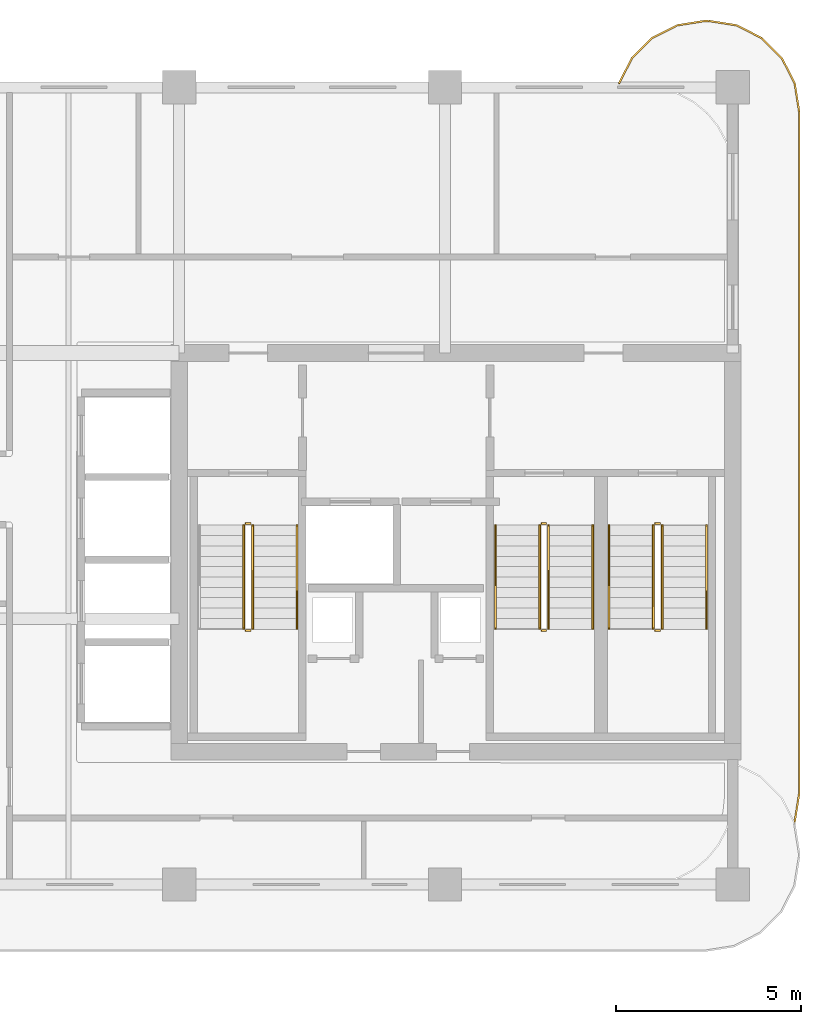
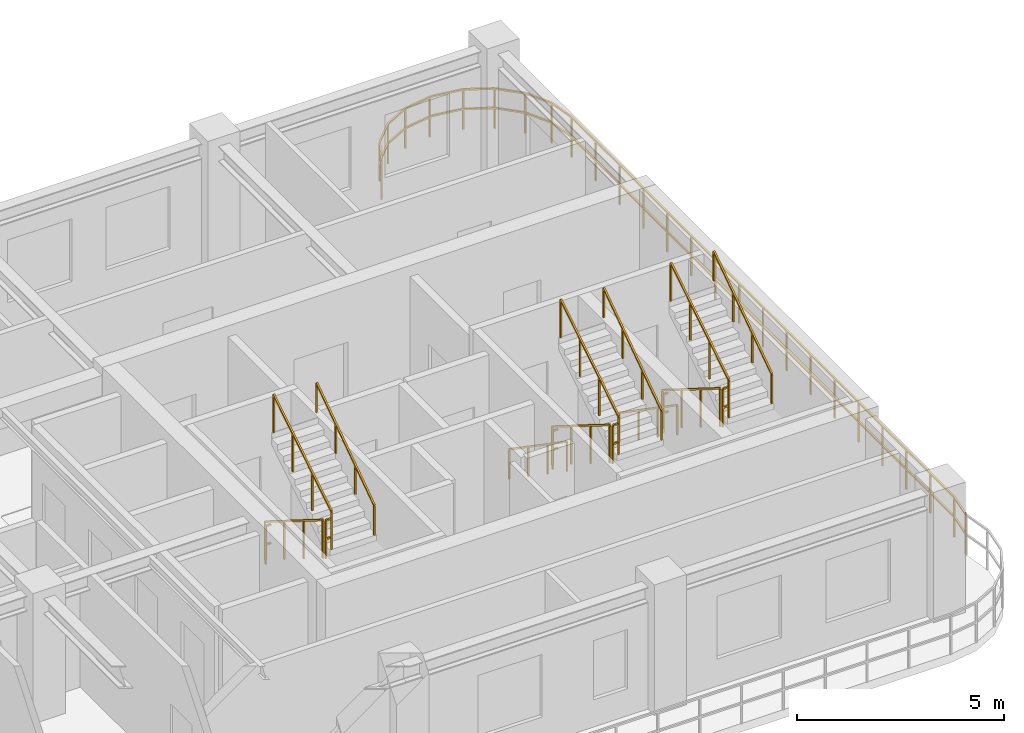
# One storey, part 8 of 8: 18 railings.
"""IFC4 building model written with IfcOpenShell, lengths in metres."""

from ifc_helpers import new_model, si_unit, derived_unit, direction, frame, origin, origin_2d, place, context, subcontext, project, spatial, rectangle, extrude, material, type_object, element, save


model = new_model("IFC4")

# Units and contexts
model_context = context("Model", 3, precision=1e-05, world=origin(), true_north=direction((0.0, 1.0)))
body_context = subcontext(model_context, "Body", "Model", "MODEL_VIEW")
ifc_project = project(units=[si_unit("LENGTHUNIT", "METRE"), si_unit("AREAUNIT", "SQUARE_METRE"), si_unit("VOLUMEUNIT", "CUBIC_METRE"), si_unit("PLANEANGLEUNIT", "RADIAN"), si_unit("MASSUNIT", "GRAM", prefix="KILO"), si_unit("THERMODYNAMICTEMPERATUREUNIT", "KELVIN"), si_unit("POWERUNIT", "WATT"), derived_unit("THERMALTRANSMITTANCEUNIT", [(si_unit("POWERUNIT", "WATT"), 1), (si_unit("AREAUNIT", "SQUARE_METRE"), -1), (si_unit("THERMODYNAMICTEMPERATUREUNIT", "KELVIN"), -1)])], contexts=[model_context])

# Site, building, storey
site_placement = place(None, origin())
site = spatial("IfcSite", under=ifc_project, at=site_placement, CompositionType="ELEMENT")
building_placement = place(site_placement, origin())
building = spatial("IfcBuilding", under=site, at=building_placement, Name="Zahravan Archway Hotel and Residences", CompositionType="ELEMENT")
storey_placement = place(building_placement, frame((0.0, 0.0, 228.85009765625)))
storey = spatial("IfcBuildingStorey", under=building, at=storey_placement, Name="L57", CompositionType="ELEMENT", Elevation=228.85009765625)

# Railings
ifc_material_1 = material(Name="Bronze & Laminated Glass Balustrade", Category="glass")
railing_type_1 = type_object("IfcRailingType", Name="RL-BAL-1200", PredefinedType="BALUSTRADE", material=ifc_material_1)
railing_1_placement = place(storey_placement, frame((46.719970703125, 21.70703125, 0.0)))
element("IfcRailing", 1, at=railing_1_placement, inside=storey, type_object=railing_type_1, Name="L57 Balustrade RL-SLB-BAL-L57-EA-1", PredefinedType="BALUSTRADE", context=body_context, shape_type="SweptSolid", body=[
    extrude(rectangle(XDim=0.048095703125, YDim=0.048095703125, at=origin_2d()), frame((0.0, 0.0, 1.17578125), z_axis=(0.453825591531, 0.891090529897, 0.0), x_axis=(-0.891090529897, 0.453825591531, 0.0)), (0.0, 0.0, 1.0), 0.7666015625),
    extrude(rectangle(XDim=0.048095703125, YDim=0.048095703125, at=origin_2d()), frame((0.0, 0.0, 0.60009765625), z_axis=(0.453825591531, 0.891090529897, 0.0), x_axis=(-0.891090529897, 0.453825591531, 0.0)), (0.0, 0.0, 1.0), 0.7666015625),
    extrude(rectangle(XDim=0.048095703125, YDim=0.048095703125, at=origin_2d()), frame((0.347900390625, 0.68310546875, 1.17578125), z_axis=(0.707106781187, 0.707106781187, 0.0), x_axis=(-0.707106781187, 0.707106781187, 0.0)), (0.0, 0.0, 1.0), 0.7666015625),
    extrude(rectangle(XDim=0.048095703125, YDim=0.048095703125, at=origin_2d()), frame((0.347900390625, 0.68310546875, 0.60009765625), z_axis=(0.707106781187, 0.707106781187, 0.0), x_axis=(-0.707106781187, 0.707106781187, 0.0)), (0.0, 0.0, 1.0), 0.7666015625),
    extrude(rectangle(XDim=0.048095703125, YDim=0.048095703125, at=origin_2d()), frame((0.889892578125, 1.22509765625, 1.17578125), z_axis=(0.891090529897, 0.453825591531, 0.0), x_axis=(-0.453825591531, 0.891090529897, 0.0)), (0.0, 0.0, 1.0), 0.7666015625),
    extrude(rectangle(XDim=0.048095703125, YDim=0.048095703125, at=origin_2d()), frame((0.889892578125, 1.22509765625, 0.60009765625), z_axis=(0.891090529897, 0.453825591531, 0.0), x_axis=(-0.453825591531, 0.891090529897, 0.0)), (0.0, 0.0, 1.0), 0.7666015625),
    extrude(rectangle(XDim=0.048095703125, YDim=0.048095703125, at=origin_2d()), frame((1.572998046875, 1.572998046875, 1.17578125), z_axis=(0.987695728695, 0.156387811283, 0.0), x_axis=(-0.156387811283, 0.987695728695, 0.0)), (0.0, 0.0, 1.0), 0.7666015625),
    extrude(rectangle(XDim=0.048095703125, YDim=0.048095703125, at=origin_2d()), frame((1.572998046875, 1.572998046875, 0.60009765625), z_axis=(0.987695728695, 0.156387811283, 0.0), x_axis=(-0.156387811283, 0.987695728695, 0.0)), (0.0, 0.0, 1.0), 0.7666015625),
    extrude(rectangle(XDim=0.048095703125, YDim=0.048095703125, at=origin_2d()), frame((2.330078125, 1.69287109375, 1.17578125), z_axis=(1.0, 0.0, 0.0), x_axis=(0.0, 1.0, 0.0)), (0.0, 0.0, 1.0), 0.099853515625),
    extrude(rectangle(XDim=0.048095703125, YDim=0.048095703125, at=origin_2d()), frame((2.330078125, 1.69287109375, 0.60009765625), z_axis=(1.0, 0.0, 0.0), x_axis=(0.0, 1.0, 0.0)), (0.0, 0.0, 1.0), 0.099853515625),
    extrude(rectangle(XDim=0.048095703125, YDim=0.048095703125, at=origin_2d()), frame((2.429931640625, 1.69287109375, 1.17578125), z_axis=(0.987695728695, -0.156387811283, 0.0), x_axis=(0.156387811283, 0.987695728695, 0.0)), (0.0, 0.0, 1.0), 0.7666015625),
    extrude(rectangle(XDim=0.048095703125, YDim=0.048095703125, at=origin_2d()), frame((2.429931640625, 1.69287109375, 0.60009765625), z_axis=(0.987695728695, -0.156387811283, 0.0), x_axis=(0.156387811283, 0.987695728695, 0.0)), (0.0, 0.0, 1.0), 0.7666015625),
    extrude(rectangle(XDim=0.048095703125, YDim=0.048095703125, at=origin_2d()), frame((3.18701171875, 1.572998046875, 1.17578125), z_axis=(0.891090529897, -0.453825591531, 0.0), x_axis=(0.453825591531, 0.891090529897, 0.0)), (0.0, 0.0, 1.0), 0.7666015625),
    extrude(rectangle(XDim=0.048095703125, YDim=0.048095703125, at=origin_2d()), frame((3.18701171875, 1.572998046875, 0.60009765625), z_axis=(0.891090529897, -0.453825591531, 0.0), x_axis=(0.453825591531, 0.891090529897, 0.0)), (0.0, 0.0, 1.0), 0.7666015625),
    extrude(rectangle(XDim=0.048095703125, YDim=0.048095703125, at=origin_2d()), frame((3.8701171875, 1.22509765625, 1.17578125), z_axis=(0.707106781187, -0.707106781187, 0.0), x_axis=(0.707106781187, 0.707106781187, 0.0)), (0.0, 0.0, 1.0), 0.7666015625),
    extrude(rectangle(XDim=0.048095703125, YDim=0.048095703125, at=origin_2d()), frame((3.8701171875, 1.22509765625, 0.60009765625), z_axis=(0.707106781187, -0.707106781187, 0.0), x_axis=(0.707106781187, 0.707106781187, 0.0)), (0.0, 0.0, 1.0), 0.7666015625),
    extrude(rectangle(XDim=0.048095703125, YDim=0.048095703125, at=origin_2d()), frame((4.412109375, 0.68310546875, 1.17578125), z_axis=(0.453825591531, -0.891090529897, 0.0), x_axis=(0.891090529897, 0.453825591531, 0.0)), (0.0, 0.0, 1.0), 0.7666015625),
    extrude(rectangle(XDim=0.048095703125, YDim=0.048095703125, at=origin_2d()), frame((4.412109375, 0.68310546875, 0.60009765625), z_axis=(0.453825591531, -0.891090529897, 0.0), x_axis=(0.891090529897, 0.453825591531, 0.0)), (0.0, 0.0, 1.0), 0.7666015625),
    extrude(rectangle(XDim=0.048095703125, YDim=0.048095703125, at=origin_2d()), frame((4.760009765625, 0.0, 1.17578125), z_axis=(0.156698507018, -0.987646484274, 0.0), x_axis=(0.987646484274, 0.156698507018, 0.0)), (0.0, 0.0, 1.0), 0.7666015625),
    extrude(rectangle(XDim=0.048095703125, YDim=0.048095703125, at=origin_2d()), frame((4.760009765625, 0.0, 0.60009765625), z_axis=(0.156698507018, -0.987646484274, 0.0), x_axis=(0.987646484274, 0.156698507018, 0.0)), (0.0, 0.0, 1.0), 0.7666015625),
    extrude(rectangle(XDim=0.048095703125, YDim=0.048095703125, at=origin_2d()), frame((4.880126953125, -0.757080078125, 1.17578125), z_axis=(0.0, -1.0, 0.0), x_axis=(1.0, 0.0, 0.0)), (0.0, 0.0, 1.0), 18.5),
    extrude(rectangle(XDim=0.048095703125, YDim=0.048095703125, at=origin_2d()), frame((4.880126953125, -0.757080078125, 0.60009765625), z_axis=(0.0, -1.0, 0.0), x_axis=(1.0, 0.0, 0.0)), (0.0, 0.0, 1.0), 18.5),
    extrude(rectangle(XDim=0.048095703125, YDim=0.048095703125, at=origin_2d()), frame((4.880126953125, -19.257080078125, 1.17578125), z_axis=(-0.156698507018, -0.987646484274, 0.0), x_axis=(0.987646484274, -0.156698507018, 0.0)), (0.0, 0.0, 1.0), 0.7666015625),
    extrude(rectangle(XDim=0.048095703125, YDim=0.048095703125, at=origin_2d()), frame((4.880126953125, -19.257080078125, 0.60009765625), z_axis=(-0.156698507018, -0.987646484274, 0.0), x_axis=(0.987646484274, -0.156698507018, 0.0)), (0.0, 0.0, 1.0), 0.7666015625),
    extrude(rectangle(XDim=0.0419921875, YDim=0.0419921875, at=origin_2d()), origin(), (0.0, 0.0, 1.0), 1.15185546875),
    extrude(rectangle(XDim=0.0419921875, YDim=0.0419921875, at=origin_2d()), frame((0.347900390625, 0.68310546875, 0.0)), (0.0, 0.0, 1.0), 1.15185546875),
    extrude(rectangle(XDim=0.0419921875, YDim=0.0419921875, at=origin_2d()), frame((0.889892578125, 1.22509765625, 0.0)), (0.0, 0.0, 1.0), 1.15185546875),
    extrude(rectangle(XDim=0.0419921875, YDim=0.0419921875, at=origin_2d()), frame((1.572998046875, 1.572998046875, 0.0)), (0.0, 0.0, 1.0), 1.15185546875),
    extrude(rectangle(XDim=0.0419921875, YDim=0.0419921875, at=origin_2d()), frame((2.330078125, 1.69287109375, 0.0)), (0.0, 0.0, 1.0), 1.15185546875),
    extrude(rectangle(XDim=0.0419921875, YDim=0.0419921875, at=origin_2d()), frame((3.18701171875, 1.572998046875, 0.0)), (0.0, 0.0, 1.0), 1.15185546875),
    extrude(rectangle(XDim=0.0419921875, YDim=0.0419921875, at=origin_2d()), frame((3.8701171875, 1.22509765625, 0.0)), (0.0, 0.0, 1.0), 1.15185546875),
    extrude(rectangle(XDim=0.0419921875, YDim=0.0419921875, at=origin_2d()), frame((4.412109375, 0.68310546875, 0.0)), (0.0, 0.0, 1.0), 1.15185546875),
    extrude(rectangle(XDim=0.0419921875, YDim=0.0419921875, at=origin_2d()), frame((4.760009765625, 0.0, 0.0)), (0.0, 0.0, 1.0), 1.15185546875),
    extrude(rectangle(XDim=0.0419921875, YDim=0.0419921875, at=origin_2d()), frame((4.880126953125, -0.757080078125, 0.0)), (0.0, 0.0, 1.0), 1.15185546875),
    extrude(rectangle(XDim=0.0419921875, YDim=0.0419921875, at=origin_2d()), frame((4.880126953125, -1.913330078125, 0.0)), (0.0, 0.0, 1.0), 1.15185546875),
    extrude(rectangle(XDim=0.0419921875, YDim=0.0419921875, at=origin_2d()), frame((4.880126953125, -3.069580078125, 0.0)), (0.0, 0.0, 1.0), 1.15185546875),
    extrude(rectangle(XDim=0.0419921875, YDim=0.0419921875, at=origin_2d()), frame((4.880126953125, -4.225830078125, 0.0)), (0.0, 0.0, 1.0), 1.15185546875),
    extrude(rectangle(XDim=0.0419921875, YDim=0.0419921875, at=origin_2d()), frame((4.880126953125, -5.382080078125, 0.0)), (0.0, 0.0, 1.0), 1.15185546875),
    extrude(rectangle(XDim=0.0419921875, YDim=0.0419921875, at=origin_2d()), frame((4.880126953125, -6.538330078125, 0.0)), (0.0, 0.0, 1.0), 1.15185546875),
    extrude(rectangle(XDim=0.0419921875, YDim=0.0419921875, at=origin_2d()), frame((4.880126953125, -7.694580078125, 0.0)), (0.0, 0.0, 1.0), 1.15185546875),
    extrude(rectangle(XDim=0.0419921875, YDim=0.0419921875, at=origin_2d()), frame((4.880126953125, -8.850830078125, 0.0)), (0.0, 0.0, 1.0), 1.15185546875),
    extrude(rectangle(XDim=0.0419921875, YDim=0.0419921875, at=origin_2d()), frame((4.880126953125, -10.007080078125, 0.0)), (0.0, 0.0, 1.0), 1.15185546875),
    extrude(rectangle(XDim=0.0419921875, YDim=0.0419921875, at=origin_2d()), frame((4.880126953125, -11.163330078125, 0.0)), (0.0, 0.0, 1.0), 1.15185546875),
    extrude(rectangle(XDim=0.0419921875, YDim=0.0419921875, at=origin_2d()), frame((4.880126953125, -12.319580078125, 0.0)), (0.0, 0.0, 1.0), 1.15185546875),
    extrude(rectangle(XDim=0.0419921875, YDim=0.0419921875, at=origin_2d()), frame((4.880126953125, -13.475830078125, 0.0)), (0.0, 0.0, 1.0), 1.15185546875),
    extrude(rectangle(XDim=0.0419921875, YDim=0.0419921875, at=origin_2d()), frame((4.880126953125, -14.632080078125, 0.0)), (0.0, 0.0, 1.0), 1.15185546875),
    extrude(rectangle(XDim=0.0419921875, YDim=0.0419921875, at=origin_2d()), frame((4.880126953125, -15.788330078125, 0.0)), (0.0, 0.0, 1.0), 1.15185546875),
    extrude(rectangle(XDim=0.0419921875, YDim=0.0419921875, at=origin_2d()), frame((4.880126953125, -16.944580078125, 0.0)), (0.0, 0.0, 1.0), 1.15185546875),
    extrude(rectangle(XDim=0.0419921875, YDim=0.0419921875, at=origin_2d()), frame((4.880126953125, -18.100830078125, 0.0)), (0.0, 0.0, 1.0), 1.15185546875),
    extrude(rectangle(XDim=0.0419921875, YDim=0.0419921875, at=origin_2d()), frame((4.880126953125, -19.257080078125, 0.0)), (0.0, 0.0, 1.0), 1.15185546875),
    extrude(rectangle(XDim=0.0419921875, YDim=0.0419921875, at=origin_2d()), frame((4.760009765625, -20.01416015625, 0.0)), (0.0, 0.0, 1.0), 1.15185546875),
])
ifc_material_2 = material(Name="Painted Tubular Steel", Category="steel")
railing_type_2 = type_object("IfcRailingType", Name="RL-STG-1150", PredefinedType="GUARDRAIL", material=ifc_material_2)
railing_2_placement = place(storey_placement, frame((36.550048828125, 9.72998046875, 0.1748046875)))
element("IfcRailing", 2, at=railing_2_placement, inside=storey, type_object=railing_type_2, Name="L57 ST-A1 stair guard 1", PredefinedType="GUARDRAIL", context=body_context, shape_type="SweptSolid", body=[
    extrude(rectangle(XDim=0.048095703125, YDim=0.048095703125, at=origin_2d()), frame((0.0, 0.0, 1.1259765625), z_axis=(0.0, -0.848002457836, 0.529992293815), x_axis=(1.0, 0.0, 0.0)), (0.0, 0.0, 1.0), 3.302001953125),
    extrude(rectangle(XDim=0.0419921875, YDim=0.0419921875, at=origin_2d()), origin(), (0.0, 0.0, 1.0), 1.101806640625),
    extrude(rectangle(XDim=0.0419921875, YDim=0.0419921875, at=origin_2d()), frame((0.0, -0.933349609375, 0.583251953125)), (0.0, 0.0, 1.0), 1.101806640625),
    extrude(rectangle(XDim=0.0419921875, YDim=0.0419921875, at=origin_2d()), frame((0.0, -1.86669921875, 1.166748046875)), (0.0, 0.0, 1.0), 1.101806640625),
    extrude(rectangle(XDim=0.0419921875, YDim=0.0419921875, at=origin_2d()), frame((0.0, -2.800048828125, 1.75)), (0.0, 0.0, 1.0), 1.101806640625),
])
railing_3_placement = place(storey_placement, frame((36.60009765625, 6.8798828125, 1.9248046875)))
element("IfcRailing", 3, at=railing_3_placement, inside=storey, type_object=railing_type_2, Name="L57 ST-A1 stair guard 2", PredefinedType="GUARDRAIL", context=body_context, shape_type="SweptSolid", body=[
    extrude(rectangle(XDim=0.048095703125, YDim=0.048095703125, at=origin_2d()), frame((0.0, 0.0, 1.1259765625), z_axis=(1.0, 0.0, 0.0), x_axis=(0.0, 1.0, 0.0)), (0.0, 0.0, 1.0), 0.139892578125),
    extrude(rectangle(XDim=0.048095703125, YDim=0.048095703125, at=origin_2d()), frame((0.0, 0.0, 0.574951171875), z_axis=(1.0, 0.0, 0.0), x_axis=(0.0, 1.0, 0.0)), (0.0, 0.0, 1.0), 0.139892578125),
    extrude(rectangle(XDim=0.0419921875, YDim=0.0419921875, at=origin_2d()), origin(), (0.0, 0.0, 1.0), 1.101806640625),
])
railing_4_placement = place(storey_placement, frame((36.7900390625, 6.929931640625, 2.099853515625)))
element("IfcRailing", 4, at=railing_4_placement, inside=storey, type_object=railing_type_2, Name="L57 ST-A1 stair guard 3", PredefinedType="GUARDRAIL", context=body_context, shape_type="SweptSolid", body=[
    extrude(rectangle(XDim=0.048095703125, YDim=0.048095703125, at=origin_2d()), frame((0.0, 0.0, 1.1259765625), z_axis=(0.0, 0.848002457836, 0.529992293815), x_axis=(-1.0, 0.0, 0.0)), (0.0, 0.0, 1.0), 3.302001953125),
    extrude(rectangle(XDim=0.0419921875, YDim=0.0419921875, at=origin_2d()), origin(), (0.0, 0.0, 1.0), 1.101806640625),
    extrude(rectangle(XDim=0.0419921875, YDim=0.0419921875, at=origin_2d()), frame((0.0, 0.933349609375, 0.583251953125)), (0.0, 0.0, 1.0), 1.101806640625),
    extrude(rectangle(XDim=0.0419921875, YDim=0.0419921875, at=origin_2d()), frame((0.0, 1.86669921875, 1.166748046875)), (0.0, 0.0, 1.0), 1.101806640625),
    extrude(rectangle(XDim=0.0419921875, YDim=0.0419921875, at=origin_2d()), frame((0.0, 2.800048828125, 1.75)), (0.0, 0.0, 1.0), 1.101806640625),
])
railing_5_placement = place(storey_placement, frame((36.60009765625, 9.780029296875, 0.0)))
element("IfcRailing", 5, at=railing_5_placement, inside=storey, type_object=railing_type_2, Name="L57 ST-A1 stair guard 4", PredefinedType="GUARDRAIL", context=body_context, shape_type="SweptSolid", body=[
    extrude(rectangle(XDim=0.048095703125, YDim=0.048095703125, at=origin_2d()), frame((0.0, 0.0, 1.1259765625), z_axis=(1.0, 0.0, 0.0), x_axis=(0.0, 1.0, 0.0)), (0.0, 0.0, 1.0), 0.139892578125),
    extrude(rectangle(XDim=0.048095703125, YDim=0.048095703125, at=origin_2d()), frame((0.0, 0.0, 0.574951171875), z_axis=(1.0, 0.0, 0.0), x_axis=(0.0, 1.0, 0.0)), (0.0, 0.0, 1.0), 0.139892578125),
    extrude(rectangle(XDim=0.0419921875, YDim=0.0419921875, at=origin_2d()), origin(), (0.0, 0.0, 1.0), 1.101806640625),
])
railing_6_placement = place(storey_placement, frame((44.570068359375, 9.72998046875, 0.1748046875)))
element("IfcRailing", 6, at=railing_6_placement, inside=storey, type_object=railing_type_2, Name="L57 ST-A2 stair guard 1", PredefinedType="GUARDRAIL", context=body_context, shape_type="SweptSolid", body=[
    extrude(rectangle(XDim=0.048095703125, YDim=0.048095703125, at=origin_2d()), frame((0.0, 0.0, 1.1259765625), z_axis=(0.0, -0.848002457836, 0.529992293815), x_axis=(1.0, 0.0, 0.0)), (0.0, 0.0, 1.0), 3.302001953125),
    extrude(rectangle(XDim=0.0419921875, YDim=0.0419921875, at=origin_2d()), origin(), (0.0, 0.0, 1.0), 1.101806640625),
    extrude(rectangle(XDim=0.0419921875, YDim=0.0419921875, at=origin_2d()), frame((0.0, -0.933349609375, 0.583251953125)), (0.0, 0.0, 1.0), 1.101806640625),
    extrude(rectangle(XDim=0.0419921875, YDim=0.0419921875, at=origin_2d()), frame((0.0, -1.86669921875, 1.166748046875)), (0.0, 0.0, 1.0), 1.101806640625),
    extrude(rectangle(XDim=0.0419921875, YDim=0.0419921875, at=origin_2d()), frame((0.0, -2.800048828125, 1.75)), (0.0, 0.0, 1.0), 1.101806640625),
])
railing_7_placement = place(storey_placement, frame((44.6201171875, 6.8798828125, 1.9248046875)))
element("IfcRailing", 7, at=railing_7_placement, inside=storey, type_object=railing_type_2, Name="L57 ST-A2 stair guard 2", PredefinedType="GUARDRAIL", context=body_context, shape_type="SweptSolid", body=[
    extrude(rectangle(XDim=0.048095703125, YDim=0.048095703125, at=origin_2d()), frame((0.0, 0.0, 1.1259765625), z_axis=(1.0, 0.0, 0.0), x_axis=(0.0, 1.0, 0.0)), (0.0, 0.0, 1.0), 0.139892578125),
    extrude(rectangle(XDim=0.048095703125, YDim=0.048095703125, at=origin_2d()), frame((0.0, 0.0, 0.574951171875), z_axis=(1.0, 0.0, 0.0), x_axis=(0.0, 1.0, 0.0)), (0.0, 0.0, 1.0), 0.139892578125),
    extrude(rectangle(XDim=0.0419921875, YDim=0.0419921875, at=origin_2d()), origin(), (0.0, 0.0, 1.0), 1.101806640625),
])
railing_8_placement = place(storey_placement, frame((44.81005859375, 6.929931640625, 2.099853515625)))
element("IfcRailing", 8, at=railing_8_placement, inside=storey, type_object=railing_type_2, Name="L57 ST-A2 stair guard 3", PredefinedType="GUARDRAIL", context=body_context, shape_type="SweptSolid", body=[
    extrude(rectangle(XDim=0.048095703125, YDim=0.048095703125, at=origin_2d()), frame((0.0, 0.0, 1.1259765625), z_axis=(0.0, 0.848002457836, 0.529992293815), x_axis=(-1.0, 0.0, 0.0)), (0.0, 0.0, 1.0), 3.302001953125),
    extrude(rectangle(XDim=0.0419921875, YDim=0.0419921875, at=origin_2d()), origin(), (0.0, 0.0, 1.0), 1.101806640625),
    extrude(rectangle(XDim=0.0419921875, YDim=0.0419921875, at=origin_2d()), frame((0.0, 0.933349609375, 0.583251953125)), (0.0, 0.0, 1.0), 1.101806640625),
    extrude(rectangle(XDim=0.0419921875, YDim=0.0419921875, at=origin_2d()), frame((0.0, 1.86669921875, 1.166748046875)), (0.0, 0.0, 1.0), 1.101806640625),
    extrude(rectangle(XDim=0.0419921875, YDim=0.0419921875, at=origin_2d()), frame((0.0, 2.800048828125, 1.75)), (0.0, 0.0, 1.0), 1.101806640625),
])
railing_9_placement = place(storey_placement, frame((44.6201171875, 9.780029296875, 0.0)))
element("IfcRailing", 9, at=railing_9_placement, inside=storey, type_object=railing_type_2, Name="L57 ST-A2 stair guard 4", PredefinedType="GUARDRAIL", context=body_context, shape_type="SweptSolid", body=[
    extrude(rectangle(XDim=0.048095703125, YDim=0.048095703125, at=origin_2d()), frame((0.0, 0.0, 1.1259765625), z_axis=(1.0, 0.0, 0.0), x_axis=(0.0, 1.0, 0.0)), (0.0, 0.0, 1.0), 0.139892578125),
    extrude(rectangle(XDim=0.048095703125, YDim=0.048095703125, at=origin_2d()), frame((0.0, 0.0, 0.574951171875), z_axis=(1.0, 0.0, 0.0), x_axis=(0.0, 1.0, 0.0)), (0.0, 0.0, 1.0), 0.139892578125),
    extrude(rectangle(XDim=0.0419921875, YDim=0.0419921875, at=origin_2d()), origin(), (0.0, 0.0, 1.0), 1.101806640625),
])
railing_10_placement = place(storey_placement, frame((47.64990234375, 9.72998046875, 0.1748046875)))
element("IfcRailing", 10, at=railing_10_placement, inside=storey, type_object=railing_type_2, Name="L57 ST-A3 stair guard 1", PredefinedType="GUARDRAIL", context=body_context, shape_type="SweptSolid", body=[
    extrude(rectangle(XDim=0.048095703125, YDim=0.048095703125, at=origin_2d()), frame((0.0, 0.0, 1.1259765625), z_axis=(0.0, -0.848002457836, 0.529992293815), x_axis=(1.0, 0.0, 0.0)), (0.0, 0.0, 1.0), 3.302001953125),
    extrude(rectangle(XDim=0.0419921875, YDim=0.0419921875, at=origin_2d()), origin(), (0.0, 0.0, 1.0), 1.101806640625),
    extrude(rectangle(XDim=0.0419921875, YDim=0.0419921875, at=origin_2d()), frame((0.0, -0.933349609375, 0.583251953125)), (0.0, 0.0, 1.0), 1.101806640625),
    extrude(rectangle(XDim=0.0419921875, YDim=0.0419921875, at=origin_2d()), frame((0.0, -1.86669921875, 1.166748046875)), (0.0, 0.0, 1.0), 1.101806640625),
    extrude(rectangle(XDim=0.0419921875, YDim=0.0419921875, at=origin_2d()), frame((0.0, -2.800048828125, 1.75)), (0.0, 0.0, 1.0), 1.101806640625),
])
railing_11_placement = place(storey_placement, frame((47.699951171875, 6.8798828125, 1.9248046875)))
element("IfcRailing", 11, at=railing_11_placement, inside=storey, type_object=railing_type_2, Name="L57 ST-A3 stair guard 2", PredefinedType="GUARDRAIL", context=body_context, shape_type="SweptSolid", body=[
    extrude(rectangle(XDim=0.048095703125, YDim=0.048095703125, at=origin_2d()), frame((0.0, 0.0, 1.1259765625), z_axis=(1.0, 0.0, 0.0), x_axis=(0.0, 1.0, 0.0)), (0.0, 0.0, 1.0), 0.14013671875),
    extrude(rectangle(XDim=0.048095703125, YDim=0.048095703125, at=origin_2d()), frame((0.0, 0.0, 0.574951171875), z_axis=(1.0, 0.0, 0.0), x_axis=(0.0, 1.0, 0.0)), (0.0, 0.0, 1.0), 0.14013671875),
    extrude(rectangle(XDim=0.0419921875, YDim=0.0419921875, at=origin_2d()), origin(), (0.0, 0.0, 1.0), 1.101806640625),
])
railing_12_placement = place(storey_placement, frame((47.889892578125, 6.929931640625, 2.099853515625)))
element("IfcRailing", 12, at=railing_12_placement, inside=storey, type_object=railing_type_2, Name="L57 ST-A3 stair guard 3", PredefinedType="GUARDRAIL", context=body_context, shape_type="SweptSolid", body=[
    extrude(rectangle(XDim=0.048095703125, YDim=0.048095703125, at=origin_2d()), frame((0.0, 0.0, 1.1259765625), z_axis=(0.0, 0.848002457836, 0.529992293815), x_axis=(-1.0, 0.0, 0.0)), (0.0, 0.0, 1.0), 3.302001953125),
    extrude(rectangle(XDim=0.0419921875, YDim=0.0419921875, at=origin_2d()), origin(), (0.0, 0.0, 1.0), 1.101806640625),
    extrude(rectangle(XDim=0.0419921875, YDim=0.0419921875, at=origin_2d()), frame((0.0, 0.933349609375, 0.583251953125)), (0.0, 0.0, 1.0), 1.101806640625),
    extrude(rectangle(XDim=0.0419921875, YDim=0.0419921875, at=origin_2d()), frame((0.0, 1.86669921875, 1.166748046875)), (0.0, 0.0, 1.0), 1.101806640625),
    extrude(rectangle(XDim=0.0419921875, YDim=0.0419921875, at=origin_2d()), frame((0.0, 2.800048828125, 1.75)), (0.0, 0.0, 1.0), 1.101806640625),
])
railing_13_placement = place(storey_placement, frame((47.699951171875, 9.780029296875, 0.0)))
element("IfcRailing", 13, at=railing_13_placement, inside=storey, type_object=railing_type_2, Name="L57 ST-A3 stair guard 4", PredefinedType="GUARDRAIL", context=body_context, shape_type="SweptSolid", body=[
    extrude(rectangle(XDim=0.048095703125, YDim=0.048095703125, at=origin_2d()), frame((0.0, 0.0, 1.1259765625), z_axis=(1.0, 0.0, 0.0), x_axis=(0.0, 1.0, 0.0)), (0.0, 0.0, 1.0), 0.14013671875),
    extrude(rectangle(XDim=0.048095703125, YDim=0.048095703125, at=origin_2d()), frame((0.0, 0.0, 0.574951171875), z_axis=(1.0, 0.0, 0.0), x_axis=(0.0, 1.0, 0.0)), (0.0, 0.0, 1.0), 0.14013671875),
    extrude(rectangle(XDim=0.0419921875, YDim=0.0419921875, at=origin_2d()), origin(), (0.0, 0.0, 1.0), 1.101806640625),
])
ifc_material_3 = material(Name="Brushed Stainless Steel", Category="steel")
railing_type_3 = type_object("IfcRailingType", Name="RL-STH-900", PredefinedType="HANDRAIL", material=ifc_material_3)
railing_14_placement = place(storey_placement, frame((37.989990234375, 6.929931640625, 2.099853515625)))
element("IfcRailing", 14, at=railing_14_placement, inside=storey, type_object=railing_type_3, Name="L57 ST-A1 stair handrail 2", PredefinedType="HANDRAIL", context=body_context, shape_type="SweptSolid", body=[
    extrude(rectangle(XDim=0.048095703125, YDim=0.048095703125, at=origin_2d()), frame((0.0, 0.0, 0.8759765625), z_axis=(0.0, 0.824039827795, 0.566531872191), x_axis=(-1.0, 0.0, 0.0)), (0.0, 0.0, 1.0), 3.39794921875),
    extrude(rectangle(XDim=0.0419921875, YDim=0.0419921875, at=origin_2d()), origin(), (0.0, 0.0, 1.0), 0.851806640625),
    extrude(rectangle(XDim=0.0419921875, YDim=0.0419921875, at=origin_2d()), frame((0.0, 0.933349609375, 0.6416015625)), (0.0, 0.0, 1.0), 0.851806640625),
    extrude(rectangle(XDim=0.0419921875, YDim=0.0419921875, at=origin_2d()), frame((0.0, 1.86669921875, 1.283447265625)), (0.0, 0.0, 1.0), 0.851806640625),
    extrude(rectangle(XDim=0.0419921875, YDim=0.0419921875, at=origin_2d()), frame((0.0, 2.800048828125, 1.925048828125)), (0.0, 0.0, 1.0), 0.851806640625),
])
railing_15_placement = place(storey_placement, frame((43.3701171875, 9.72998046875, 0.1748046875)))
element("IfcRailing", 15, at=railing_15_placement, inside=storey, type_object=railing_type_3, Name="L57 ST-A2 stair handrail 1", PredefinedType="HANDRAIL", context=body_context, shape_type="SweptSolid", body=[
    extrude(rectangle(XDim=0.048095703125, YDim=0.048095703125, at=origin_2d()), frame((0.0, 0.0, 0.8759765625), z_axis=(0.0, -0.824039827795, 0.566531872191), x_axis=(1.0, 0.0, 0.0)), (0.0, 0.0, 1.0), 3.39794921875),
    extrude(rectangle(XDim=0.0419921875, YDim=0.0419921875, at=origin_2d()), origin(), (0.0, 0.0, 1.0), 0.851806640625),
    extrude(rectangle(XDim=0.0419921875, YDim=0.0419921875, at=origin_2d()), frame((0.0, -0.933349609375, 0.6416015625)), (0.0, 0.0, 1.0), 0.851806640625),
    extrude(rectangle(XDim=0.0419921875, YDim=0.0419921875, at=origin_2d()), frame((0.0, -1.86669921875, 1.283447265625)), (0.0, 0.0, 1.0), 0.851806640625),
    extrude(rectangle(XDim=0.0419921875, YDim=0.0419921875, at=origin_2d()), frame((0.0, -2.800048828125, 1.925048828125)), (0.0, 0.0, 1.0), 0.851806640625),
])
railing_16_placement = place(storey_placement, frame((46.010009765625, 6.929931640625, 2.099853515625)))
element("IfcRailing", 16, at=railing_16_placement, inside=storey, type_object=railing_type_3, Name="L57 ST-A2 stair handrail 2", PredefinedType="HANDRAIL", context=body_context, shape_type="SweptSolid", body=[
    extrude(rectangle(XDim=0.048095703125, YDim=0.048095703125, at=origin_2d()), frame((0.0, 0.0, 0.8759765625), z_axis=(0.0, 0.824039827795, 0.566531872191), x_axis=(-1.0, 0.0, 0.0)), (0.0, 0.0, 1.0), 3.39794921875),
    extrude(rectangle(XDim=0.0419921875, YDim=0.0419921875, at=origin_2d()), origin(), (0.0, 0.0, 1.0), 0.851806640625),
    extrude(rectangle(XDim=0.0419921875, YDim=0.0419921875, at=origin_2d()), frame((0.0, 0.933349609375, 0.6416015625)), (0.0, 0.0, 1.0), 0.851806640625),
    extrude(rectangle(XDim=0.0419921875, YDim=0.0419921875, at=origin_2d()), frame((0.0, 1.86669921875, 1.283447265625)), (0.0, 0.0, 1.0), 0.851806640625),
    extrude(rectangle(XDim=0.0419921875, YDim=0.0419921875, at=origin_2d()), frame((0.0, 2.800048828125, 1.925048828125)), (0.0, 0.0, 1.0), 0.851806640625),
])
railing_17_placement = place(storey_placement, frame((46.449951171875, 9.72998046875, 0.1748046875)))
element("IfcRailing", 17, at=railing_17_placement, inside=storey, type_object=railing_type_3, Name="L57 ST-A3 stair handrail 1", PredefinedType="HANDRAIL", context=body_context, shape_type="SweptSolid", body=[
    extrude(rectangle(XDim=0.048095703125, YDim=0.048095703125, at=origin_2d()), frame((0.0, 0.0, 0.8759765625), z_axis=(0.0, -0.824039827795, 0.566531872191), x_axis=(1.0, 0.0, 0.0)), (0.0, 0.0, 1.0), 3.39794921875),
    extrude(rectangle(XDim=0.0419921875, YDim=0.0419921875, at=origin_2d()), origin(), (0.0, 0.0, 1.0), 0.851806640625),
    extrude(rectangle(XDim=0.0419921875, YDim=0.0419921875, at=origin_2d()), frame((0.0, -0.933349609375, 0.6416015625)), (0.0, 0.0, 1.0), 0.851806640625),
    extrude(rectangle(XDim=0.0419921875, YDim=0.0419921875, at=origin_2d()), frame((0.0, -1.86669921875, 1.283447265625)), (0.0, 0.0, 1.0), 0.851806640625),
    extrude(rectangle(XDim=0.0419921875, YDim=0.0419921875, at=origin_2d()), frame((0.0, -2.800048828125, 1.925048828125)), (0.0, 0.0, 1.0), 0.851806640625),
])
railing_18_placement = place(storey_placement, frame((49.090087890625, 6.929931640625, 2.099853515625)))
element("IfcRailing", 18, at=railing_18_placement, inside=storey, type_object=railing_type_3, Name="L57 ST-A3 stair handrail 2", PredefinedType="HANDRAIL", context=body_context, shape_type="SweptSolid", body=[
    extrude(rectangle(XDim=0.048095703125, YDim=0.048095703125, at=origin_2d()), frame((0.0, 0.0, 0.8759765625), z_axis=(0.0, 0.824039827795, 0.566531872191), x_axis=(-1.0, 0.0, 0.0)), (0.0, 0.0, 1.0), 3.39794921875),
    extrude(rectangle(XDim=0.0419921875, YDim=0.0419921875, at=origin_2d()), origin(), (0.0, 0.0, 1.0), 0.851806640625),
    extrude(rectangle(XDim=0.0419921875, YDim=0.0419921875, at=origin_2d()), frame((0.0, 0.933349609375, 0.6416015625)), (0.0, 0.0, 1.0), 0.851806640625),
    extrude(rectangle(XDim=0.0419921875, YDim=0.0419921875, at=origin_2d()), frame((0.0, 1.86669921875, 1.283447265625)), (0.0, 0.0, 1.0), 0.851806640625),
    extrude(rectangle(XDim=0.0419921875, YDim=0.0419921875, at=origin_2d()), frame((0.0, 2.800048828125, 1.925048828125)), (0.0, 0.0, 1.0), 0.851806640625),
])

save(model, "model.ifc")
